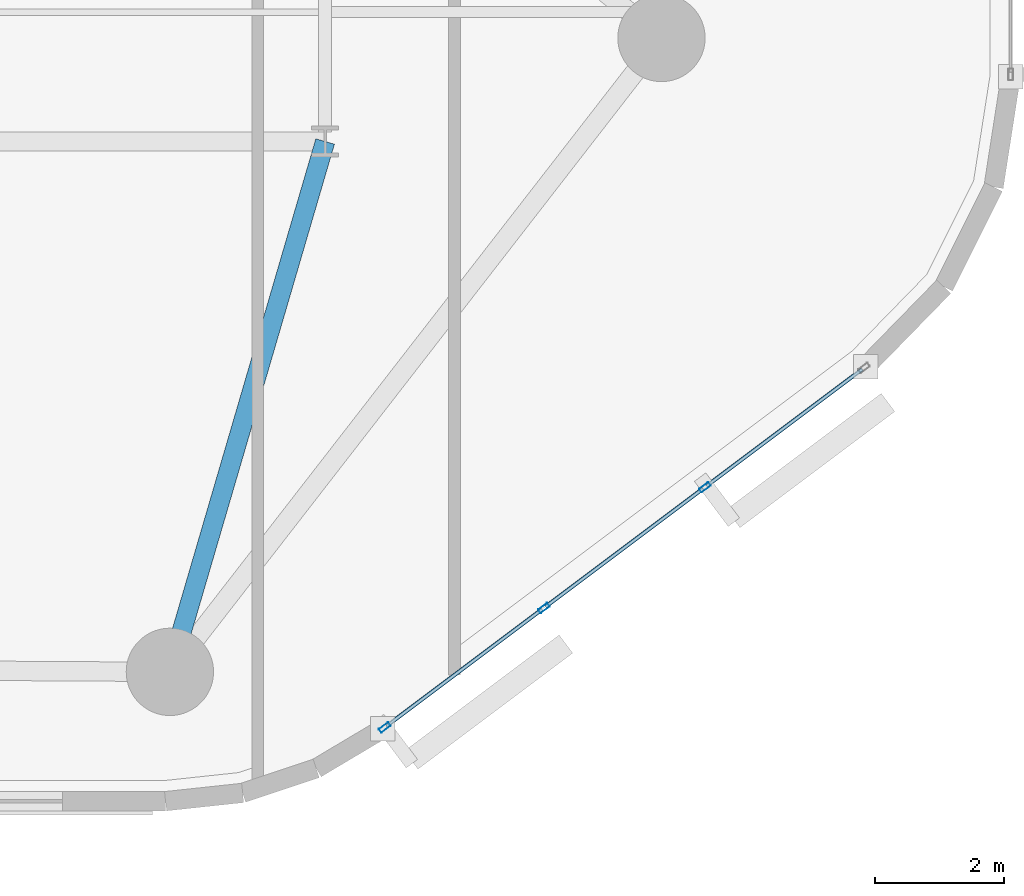
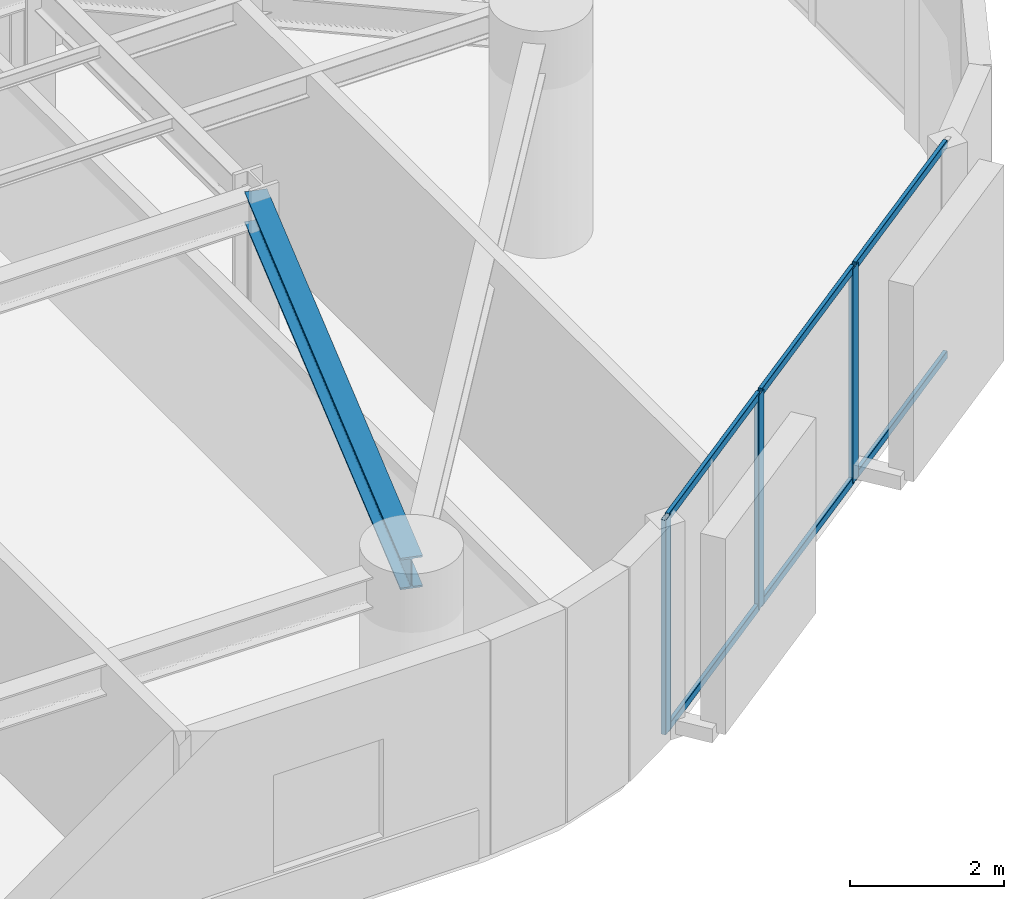
# One storey, part 2 of 16: 9 members, 1 beam, 1 element without a shape of its own.
"""IFC4 building model written with IfcOpenShell, lengths in metres."""

import ifcopenshell
import ifcopenshell.guid

model = None  # the IFC model being written
_history = None  # IfcOwnerHistory: only IFC2X3 demands one
_inside = {}  # id of a spatial element -> (the spatial element, [elements in it])
_under = {}  # id of a project, library or spatial element -> (it, [spatial elements below it])
_declared = {}  # id of a project -> (the project, [libraries it declares])
_typed = {}  # id of a type object -> (the type object, [elements of that type])
_made_of = {}  # id of a material, layer set ... -> (it, [elements and type objects made of it])


def new_model(schema):
    """Start an empty IFC model of exactly this schema.

    Asked for "IFC4X3", IfcOpenShell would pick the latest addendum, in which some entities
    have other attributes; the version numbers below select the first issue.
    IFC2X3 requires an IfcOwnerHistory on every rooted entity: one is made here for all.
    """
    global model, _history
    if schema == "IFC4X3":
        model = ifcopenshell.file(schema_version=(4, 3, 0, 0))
    else:
        model = ifcopenshell.file(schema=schema)
    _inside.clear()
    _under.clear()
    _declared.clear()
    _typed.clear()
    _made_of.clear()
    _history = None
    if model.schema == "IFC2X3":
        org = make("IfcOrganization", Name="unknown")
        user = make(
            "IfcPersonAndOrganization",
            ThePerson=make("IfcPerson", FamilyName="unknown"),
            TheOrganization=org,
        )
        app = make(
            "IfcApplication",
            ApplicationDeveloper=org,
            Version="unknown",
            ApplicationFullName="unknown",
            ApplicationIdentifier="unknown",
        )
        _history = make(
            "IfcOwnerHistory",
            OwningUser=user,
            OwningApplication=app,
            ChangeAction="ADDED",
            CreationDate=0,
        )
    return model


def make(cls, **values):
    """One entity of the class cls with the attributes given. An attribute that is None is left unset."""
    return model.create_entity(
        cls, **{name: value for name, value in values.items() if value is not None}
    )


def rooted(cls, **values):
    """An entity with a GlobalId (a new one), such as an element, a storey or a relation."""
    return make(cls, GlobalId=ifcopenshell.guid.new(), OwnerHistory=_history, **values)


def si_unit(unit_type, name, prefix=None):
    """IfcSIUnit, for example si_unit("LENGTHUNIT", "METRE", prefix="MILLI")."""
    return make("IfcSIUnit", UnitType=unit_type, Prefix=prefix, Name=name)


def assignment(units):
    """IfcUnitAssignment: the units of a project."""
    return None if units is None else make("IfcUnitAssignment", Units=units)


def point(xyz):
    """IfcCartesianPoint."""
    return None if xyz is None else make("IfcCartesianPoint", Coordinates=xyz)


def direction(xyz):
    """IfcDirection."""
    return None if xyz is None else make("IfcDirection", DirectionRatios=xyz)


def frame(location, z_axis=None, x_axis=None):
    """IfcAxis2Placement3D, a coordinate frame: its origin and axes. An axis left out is left unset."""
    return make(
        "IfcAxis2Placement3D",
        Location=point(location),
        Axis=direction(z_axis),
        RefDirection=direction(x_axis),
    )


def frame_2d(location, x_axis=None):
    """IfcAxis2Placement2D, a coordinate frame in the plane: its origin and x axis."""
    return make(
        "IfcAxis2Placement2D", Location=point(location), RefDirection=direction(x_axis)
    )


def origin():
    """The frame at (0, 0, 0) with its axes left unset."""
    return frame((0.0, 0.0, 0.0))


def origin_2d():
    """The frame at (0, 0) in the plane with its x axis left unset."""
    return frame_2d((0.0, 0.0))


def place(relative_to, where):
    """IfcLocalPlacement: puts the frame where relative to a parent placement (None: the world)."""
    return make(
        "IfcLocalPlacement", PlacementRelTo=relative_to, RelativePlacement=where
    )


def context(
    kind, dimensions, precision=None, world=None, true_north=None, identifier=None
):
    """IfcGeometricRepresentationContext, for example the 3D "Model" context."""
    return make(
        "IfcGeometricRepresentationContext",
        ContextIdentifier=identifier,
        ContextType=kind,
        CoordinateSpaceDimension=dimensions,
        Precision=precision,
        WorldCoordinateSystem=world,
        TrueNorth=true_north,
    )


def subcontext(parent, identifier, kind, view, scale=None):
    """IfcGeometricRepresentationSubContext, for example "Body" below "Model"."""
    return make(
        "IfcGeometricRepresentationSubContext",
        ContextIdentifier=identifier,
        ContextType=kind,
        ParentContext=parent,
        TargetScale=scale,
        TargetView=view,
    )


def project(units=None, contexts=None):
    """IfcProject with its units and contexts."""
    return rooted(
        "IfcProject",
        Name="project",
        RepresentationContexts=contexts,
        UnitsInContext=assignment(units),
    )


def spatial(cls, under=None, at=None, **own):
    """A site, building, storey or space (cls), placed at a placement, below another one or the project."""
    s = rooted(cls, ObjectPlacement=at, **own)
    if under is not None:
        _under.setdefault(under.id(), (under, []))[1].append(s)
    return s


def profile(cls, at=None, kind="AREA", **sizes):
    """A parametric profile (cls). Its sizes go by their IFC names, for example OverallWidth=200.0."""
    return make(cls, ProfileType=kind, Position=at, **sizes)


def hollow_rectangle(**sizes):
    """IfcRectangleHollowProfileDef."""
    return profile("IfcRectangleHollowProfileDef", **sizes)


def i_section(**sizes):
    """IfcIShapeProfileDef."""
    return profile("IfcIShapeProfileDef", **sizes)


def extrude(swept, where, along, depth):
    """IfcExtrudedAreaSolid: the profile swept, set in the frame where, extruded along a direction by depth."""
    return make(
        "IfcExtrudedAreaSolid",
        SweptArea=swept,
        Position=where,
        ExtrudedDirection=direction(along),
        Depth=depth,
    )


def shape(context_of_items, identifier, shape_type, items):
    """IfcShapeRepresentation: the items that make up one representation, for example the "Body"."""
    return make(
        "IfcShapeRepresentation",
        ContextOfItems=context_of_items,
        RepresentationIdentifier=identifier,
        RepresentationType=shape_type,
        Items=items,
    )


def material(Name=None, Category=None):
    """IfcMaterial."""
    return make("IfcMaterial", Name=Name, Category=Category)


def layer(
    of_material, thickness, ventilated=None, Name=None, Category=None, Priority=None
):
    """IfcMaterialLayer: one layer of a wall or slab, of a material (None: an air gap)."""
    return make(
        "IfcMaterialLayer",
        Material=of_material,
        LayerThickness=thickness,
        IsVentilated=ventilated,
        Name=Name,
        Category=Category,
        Priority=Priority,
    )


def layer_set(layers, Name=None):
    """IfcMaterialLayerSet."""
    return make("IfcMaterialLayerSet", MaterialLayers=layers, LayerSetName=Name)


def material_profile(
    of_material, cross_section, Name=None, Category=None, Priority=None
):
    """IfcMaterialProfile: a cross section and its material."""
    return make(
        "IfcMaterialProfile",
        Name=Name,
        Material=of_material,
        Profile=cross_section,
        Priority=Priority,
        Category=Category,
    )


def profile_set(profiles, Name=None, composite=None):
    """IfcMaterialProfileSet."""
    return make(
        "IfcMaterialProfileSet",
        Name=Name,
        MaterialProfiles=profiles,
        CompositeProfile=composite,
    )


def made_of(thing, what):
    """Note that an element or type object is made of a material, layer set ...; save() writes the relation."""
    if what is not None:
        _made_of.setdefault(what.id(), (what, []))[1].append(thing)
    return thing


def type_object(cls, material=None, **own):
    """A type object (cls), such as IfcWallType, which elements share."""
    return made_of(rooted(cls, **own), material)


def element(
    cls,
    number,
    at=None,
    inside=None,
    cuts=None,
    type_object=None,
    material=None,
    context=None,
    identifier="Body",
    shape_type=None,
    held_by="IfcProductDefinitionShape",
    body=None,
    shapes=None,
    **own,
):
    """One element of the class cls, such as IfcWall. Its Tag is "e" and its number.

    at: its placement. inside: the storey or other place that contains it. cuts: it is an
    opening in that element (IfcRelVoidsElement). A single representation is given by context,
    identifier, shape_type and body (its items); several are given by shapes. held_by: the class
    of the entity that holds the representations. save() writes the other relations.
    """
    e = rooted(cls, Tag="e%d" % number, ObjectPlacement=at, **own)
    if body is not None:
        shapes = [shape(context, identifier, shape_type, body)]
    if shapes is not None:
        e.Representation = make(held_by, Representations=shapes)
    if inside is not None:
        _inside.setdefault(inside.id(), (inside, []))[1].append(e)
    if cuts is not None:
        rooted(
            "IfcRelVoidsElement", RelatingBuildingElement=cuts, RelatedOpeningElement=e
        )
    if type_object is not None:
        _typed.setdefault(type_object.id(), (type_object, []))[1].append(e)
    return made_of(e, material)


def aggregate(whole, parts):
    """IfcRelAggregates: a whole, such as a stair, and the parts it consists of."""
    return rooted("IfcRelAggregates", RelatingObject=whole, RelatedObjects=parts)


def save(model, path):
    """Write the relations noted so far, then the file.

    IfcRelAggregates (storeys below a building ...), IfcRelContainedInSpatialStructure (elements
    in a storey), IfcRelDefinesByType, IfcRelAssociatesMaterial and IfcRelDeclares: one each for
    every whole, place, type object, material and project.
    """
    for whole, parts in _under.values():
        aggregate(whole, parts)
    for where, things in _inside.values():
        rooted(
            "IfcRelContainedInSpatialStructure",
            RelatedElements=things,
            RelatingStructure=where,
        )
    for kind, things in _typed.values():
        rooted("IfcRelDefinesByType", RelatedObjects=things, RelatingType=kind)
    for what, things in _made_of.values():
        rooted("IfcRelAssociatesMaterial", RelatedObjects=things, RelatingMaterial=what)
    for by, libraries in _declared.values():
        rooted("IfcRelDeclares", RelatingContext=by, RelatedDefinitions=libraries)
    model.write(path)


model = new_model("IFC4")

# Units and contexts
model_context = context("Model", 3, precision=1e-05, world=origin(), true_north=direction((0.0, 1.0)))
body_context = subcontext(model_context, "Body", "Model", "MODEL_VIEW")
ifc_project = project(units=[si_unit("LENGTHUNIT", "METRE"), si_unit("AREAUNIT", "SQUARE_METRE"), si_unit("VOLUMEUNIT", "CUBIC_METRE"), si_unit("PLANEANGLEUNIT", "RADIAN"), si_unit("MASSUNIT", "GRAM", prefix="KILO")], contexts=[model_context])

# Site, building, storey
site_placement = place(None, origin())
site = spatial("IfcSite", under=ifc_project, at=site_placement, CompositionType="ELEMENT")
building_placement = place(site_placement, origin())
building = spatial("IfcBuilding", under=site, at=building_placement, Name="An Khanh Terracotta Commons", CompositionType="ELEMENT")
storey_placement = place(building_placement, frame((0.0, 0.0, 111.5)))
storey = spatial("IfcBuildingStorey", under=building, at=storey_placement, Name="L29", CompositionType="ELEMENT", Elevation=111.5)

# Beam
ifc_material_1 = material(Name="Steel S355J2", Category="steel")
ifc_material_profile_1 = material_profile(ifc_material_1, i_section(OverallWidth=0.300048828125, OverallDepth=0.5, WebThickness=0.014404296875, FlangeThickness=0.028076171875, FilletRadius=0.027099609375, at=origin_2d()), Name="HEB500")
ifc_profile_set_1 = profile_set([ifc_material_profile_1], Name="Steel S355J2")
beam_type = type_object("IfcBeamType", Name="BM-HEB500", PredefinedType="BEAM", material=ifc_profile_set_1)
beam_placement = place(storey_placement, frame((44.39990234375, 6.199951171875, 3.14990234375), z_axis=(0.280916085823, 0.959732333896, 0.0), x_axis=(-0.959732333896, 0.280916085823, 0.0)))
element("IfcBeam", 1, at=beam_placement, inside=storey, type_object=beam_type, Name="L29 Mega-Column Tie Girder 2", PredefinedType="BEAM", context=body_context, shape_type="SweptSolid", body=[
    extrude(i_section(OverallWidth=0.300048828125, OverallDepth=0.5, WebThickness=0.014404296875, FlangeThickness=0.028076171875, FilletRadius=0.027099609375, at=origin_2d()), origin(), (0.0, 0.0, 1.0), 8.5439453125),
])

# Curtain wall, members
ifc_material_2 = material(Name="Anodised Aluminium 6063-T6", Category="aluminium")
ifc_layer = layer(ifc_material_2, 0.199951171875, Name="Anodised Aluminium 6063-T6")
ifc_layer_set = layer_set([ifc_layer], Name="Anodised Aluminium 6063-T6")
curtain_wall_type = type_object("IfcCurtainWallType", Name="CW-SYS-02", PredefinedType="USERDEFINED", material=ifc_layer_set)
curtain_wall_placement = place(storey_placement, origin())
curtain_wall = element("IfcCurtainWall", 2, at=curtain_wall_placement, inside=storey, type_object=curtain_wall_type, Name="L29 CW-02 Unitised Curtain Wall CW-L29-08", ObjectType="UNITISED CURTAIN WALL", PredefinedType="USERDEFINED")
ifc_material_profile_2 = material_profile(ifc_material_2, hollow_rectangle(XDim=0.070068359375, YDim=0.179931640625, WallThickness=0.00390625, InnerFilletRadius=0.00390625, OuterFilletRadius=0.008056640625, at=origin_2d()), Name="RHS180x70x4")
ifc_profile_set_2 = profile_set([ifc_material_profile_2], Name="Anodised Aluminium 6063-T6")
member_type_1 = type_object("IfcMemberType", Name="CWM-RHS180x70x4", PredefinedType="MULLION", material=ifc_profile_set_2)
member_1_placement = place(storey_placement, frame((47.720947265625, 5.341064453125, 0.0), z_axis=(0.0, 0.0, 1.0), x_axis=(-0.599982857492, 0.800012856594, 0.0)))
member_1 = element("IfcMember", 3, at=member_1_placement, type_object=member_type_1, Name="CW-02 mullion 1", PredefinedType="MULLION", context=body_context, shape_type="SweptSolid", body=[
    extrude(hollow_rectangle(XDim=0.070068359375, YDim=0.179931640625, WallThickness=0.00390625, InnerFilletRadius=0.00390625, OuterFilletRadius=0.008056640625, at=origin_2d()), origin(), (0.0, 0.0, 1.0), 3.39990234375),
])
member_2_placement = place(storey_placement, frame((50.181884765625, 7.186767578125, 0.0), z_axis=(0.0, 0.0, 1.0), x_axis=(-0.599982857492, 0.800012856594, 0.0)))
member_2 = element("IfcMember", 4, at=member_2_placement, type_object=member_type_1, Name="CW-02 mullion 2", PredefinedType="MULLION", context=body_context, shape_type="SweptSolid", body=[
    extrude(hollow_rectangle(XDim=0.070068359375, YDim=0.179931640625, WallThickness=0.00390625, InnerFilletRadius=0.00390625, OuterFilletRadius=0.008056640625, at=origin_2d()), origin(), (0.0, 0.0, 1.0), 3.39990234375),
])
member_3_placement = place(storey_placement, frame((52.6708984375, 9.05322265625, 0.0), z_axis=(0.0, 0.0, 1.0), x_axis=(-0.599982857492, 0.800012856594, 0.0)))
member_3 = element("IfcMember", 5, at=member_3_placement, type_object=member_type_1, Name="CW-02 mullion 3", PredefinedType="MULLION", context=body_context, shape_type="SweptSolid", body=[
    extrude(hollow_rectangle(XDim=0.070068359375, YDim=0.179931640625, WallThickness=0.00390625, InnerFilletRadius=0.00390625, OuterFilletRadius=0.008056640625, at=origin_2d()), origin(), (0.0, 0.0, 1.0), 3.39990234375),
])
ifc_material_profile_3 = material_profile(ifc_material_2, hollow_rectangle(XDim=0.06005859375, YDim=0.1201171875, WallThickness=0.003662109375, InnerFilletRadius=0.003662109375, OuterFilletRadius=0.007080078125, at=origin_2d()), Name="RHS120x60x3.6")
ifc_profile_set_3 = profile_set([ifc_material_profile_3], Name="Anodised Aluminium 6063-T6")
member_type_2 = type_object("IfcMemberType", Name="CWT-RHS120x60x3.6", PredefinedType="USERDEFINED", material=ifc_profile_set_3)
member_4_placement = place(storey_placement, frame((47.7490234375, 5.362060546875, 0.030029296875), z_axis=(0.800009745217, 0.599987006158, 0.0), x_axis=(-0.599987006158, 0.800009745217, 0.0)))
member_4 = element("IfcMember", 6, at=member_4_placement, type_object=member_type_2, Name="CW-02 transom 1.1", ObjectType="TRANSOM", PredefinedType="USERDEFINED", context=body_context, shape_type="SweptSolid", body=[
    extrude(hollow_rectangle(XDim=0.06005859375, YDim=0.1201171875, WallThickness=0.003662109375, InnerFilletRadius=0.003662109375, OuterFilletRadius=0.007080078125, at=origin_2d()), origin(), (0.0, 0.0, 1.0), 3.00634765625),
])
member_5_placement = place(storey_placement, frame((47.7490234375, 5.362060546875, 3.3701171875), z_axis=(0.800009745217, 0.599987006158, 0.0), x_axis=(-0.599987006158, 0.800009745217, 0.0)))
member_5 = element("IfcMember", 7, at=member_5_placement, type_object=member_type_2, Name="CW-02 transom 1.2", ObjectType="TRANSOM", PredefinedType="USERDEFINED", context=body_context, shape_type="SweptSolid", body=[
    extrude(hollow_rectangle(XDim=0.06005859375, YDim=0.1201171875, WallThickness=0.003662109375, InnerFilletRadius=0.003662109375, OuterFilletRadius=0.007080078125, at=origin_2d()), origin(), (0.0, 0.0, 1.0), 3.00634765625),
])
member_6_placement = place(storey_placement, frame((50.2099609375, 7.207763671875, 0.030029296875), z_axis=(0.800057796972, 0.599922929638, 0.0), x_axis=(-0.599922929638, 0.800057796972, 0.0)))
member_6 = element("IfcMember", 8, at=member_6_placement, type_object=member_type_2, Name="CW-02 transom 2.1", ObjectType="TRANSOM", PredefinedType="USERDEFINED", context=body_context, shape_type="SweptSolid", body=[
    extrude(hollow_rectangle(XDim=0.06005859375, YDim=0.1201171875, WallThickness=0.003662109375, InnerFilletRadius=0.003662109375, OuterFilletRadius=0.007080078125, at=origin_2d()), origin(), (0.0, 0.0, 1.0), 3.041259765625),
])
member_7_placement = place(storey_placement, frame((50.2099609375, 7.207763671875, 3.3701171875), z_axis=(0.800057796972, 0.599922929638, 0.0), x_axis=(-0.599922929638, 0.800057796972, 0.0)))
member_7 = element("IfcMember", 9, at=member_7_placement, type_object=member_type_2, Name="CW-02 transom 2.2", ObjectType="TRANSOM", PredefinedType="USERDEFINED", context=body_context, shape_type="SweptSolid", body=[
    extrude(hollow_rectangle(XDim=0.06005859375, YDim=0.1201171875, WallThickness=0.003662109375, InnerFilletRadius=0.003662109375, OuterFilletRadius=0.007080078125, at=origin_2d()), origin(), (0.0, 0.0, 1.0), 3.041259765625),
])
member_8_placement = place(storey_placement, frame((52.698974609375, 9.07421875, 0.030029296875), z_axis=(0.800009745217, 0.599987006158, 0.0), x_axis=(-0.599987006158, 0.800009745217, 0.0)))
member_8 = element("IfcMember", 10, at=member_8_placement, type_object=member_type_2, Name="CW-02 transom 3.1", ObjectType="TRANSOM", PredefinedType="USERDEFINED", context=body_context, shape_type="SweptSolid", body=[
    extrude(hollow_rectangle(XDim=0.06005859375, YDim=0.1201171875, WallThickness=0.003662109375, InnerFilletRadius=0.003662109375, OuterFilletRadius=0.007080078125, at=origin_2d()), origin(), (0.0, 0.0, 1.0), 3.00634765625),
])
member_9_placement = place(storey_placement, frame((52.698974609375, 9.07421875, 3.3701171875), z_axis=(0.800009745217, 0.599987006158, 0.0), x_axis=(-0.599987006158, 0.800009745217, 0.0)))
member_9 = element("IfcMember", 11, at=member_9_placement, type_object=member_type_2, Name="CW-02 transom 3.2", ObjectType="TRANSOM", PredefinedType="USERDEFINED", context=body_context, shape_type="SweptSolid", body=[
    extrude(hollow_rectangle(XDim=0.06005859375, YDim=0.1201171875, WallThickness=0.003662109375, InnerFilletRadius=0.003662109375, OuterFilletRadius=0.007080078125, at=origin_2d()), origin(), (0.0, 0.0, 1.0), 3.00634765625),
])
aggregate(curtain_wall, [member_1, member_2, member_3, member_4, member_5, member_6, member_7, member_8, member_9])

save(model, "model.ifc")
